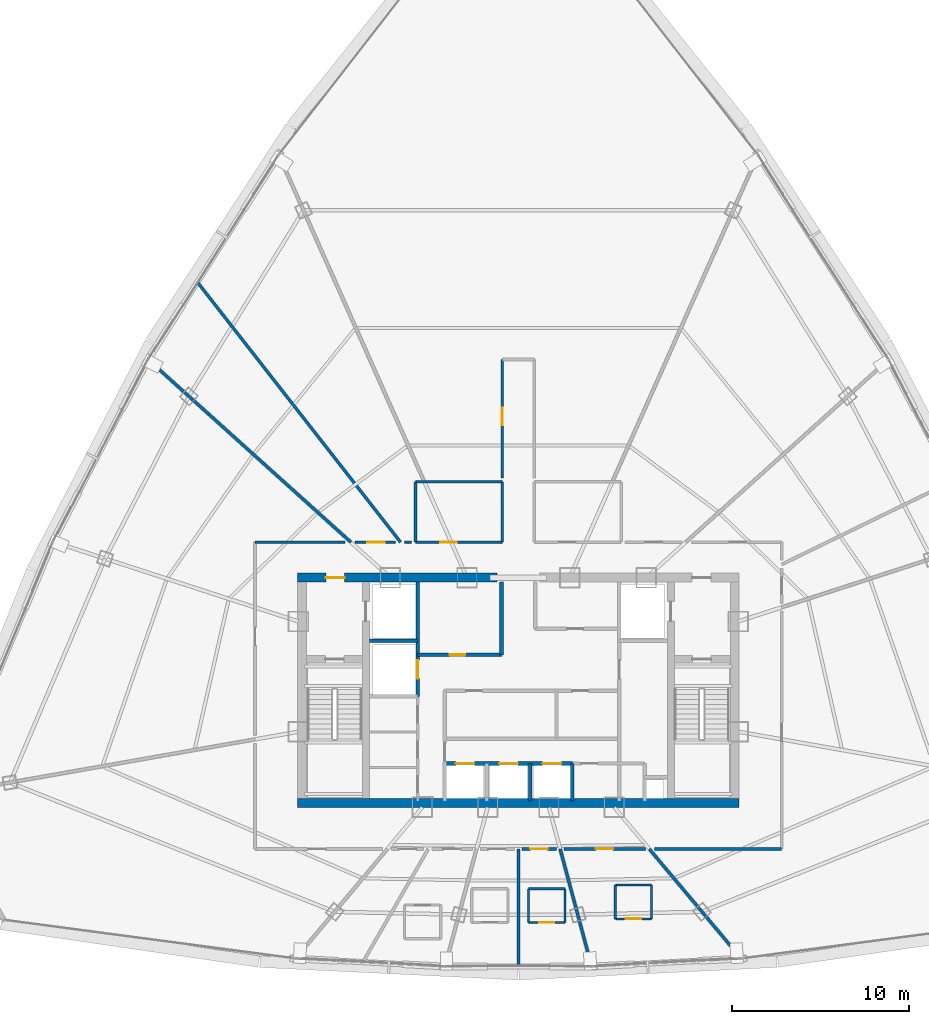
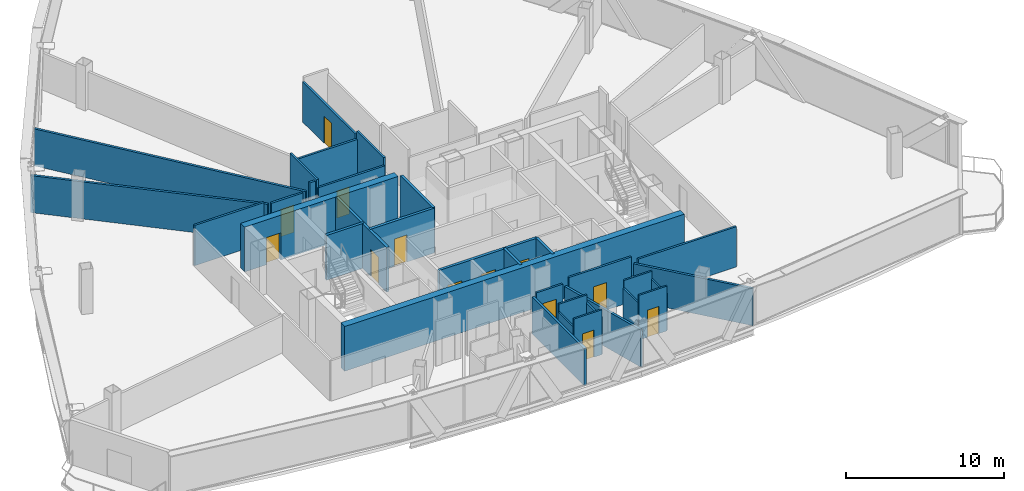
# One storey, part 34 of 39: 33 walls, 13 doors, 13 openings.
"""IFC4 building model written with IfcOpenShell, lengths in metres."""

from ifc_helpers import new_model, si_unit, direction, frame, frame_2d, origin, origin_with_axes, place, context, subcontext, project, spatial, rectangle, extrude, source, transform, mapped, material, layer, layer_set, type_object, element, fill, save


model = new_model("IFC4")

# Units and contexts
model_context = context("Model", 3, precision=1e-05, world=origin(), true_north=direction((0.0, 1.0)))
body_context = subcontext(model_context, "Body", "Model", "MODEL_VIEW")
ifc_project = project(units=[si_unit("LENGTHUNIT", "METRE"), si_unit("AREAUNIT", "SQUARE_METRE"), si_unit("VOLUMEUNIT", "CUBIC_METRE"), si_unit("PLANEANGLEUNIT", "RADIAN"), si_unit("MASSUNIT", "GRAM", prefix="KILO"), si_unit("THERMODYNAMICTEMPERATUREUNIT", "KELVIN"), si_unit("POWERUNIT", "WATT")], contexts=[model_context])

# Site, building, storey
site_placement = place(None, origin())
site = spatial("IfcSite", under=ifc_project, at=site_placement, CompositionType="ELEMENT")
building_placement = place(site_placement, origin())
building = spatial("IfcBuilding", under=site, at=building_placement, Name="Yunzhuo Pagoda Commons", CompositionType="ELEMENT")
storey_placement = place(building_placement, frame((0.0, 0.0, 285.02001953125)))
storey = spatial("IfcBuildingStorey", under=building, at=storey_placement, Name="L71", CompositionType="ELEMENT", Elevation=285.02001953125)

# Wall
ifc_material_1 = material(Name="Concrete C50", Category="concrete")
ifc_layer_1 = layer(ifc_material_1, 0.5)
ifc_layer_set_1 = layer_set([ifc_layer_1], Name="Concrete C50")
wall_type_1 = type_object("IfcWallType", Name="W-C03 Upper Core Shear Wall 500", PredefinedType="SHEAR", material=ifc_layer_set_1)
wall_1_placement = place(storey_placement, frame((35.550048828125, 27.5, 0.0), z_axis=(0.0, 0.0, 1.0), x_axis=(1.0, 0.0, 0.0)))
element("IfcWall", 1, at=wall_1_placement, inside=storey, type_object=wall_type_1, Name="L71 core shear wall S", PredefinedType="SHEAR", context=body_context, shape_type="SweptSolid", body=[
    extrude(rectangle(XDim=24.89990234375, YDim=0.5, at=frame_2d((12.449951171875, 0.0))), origin(), (0.0, 0.0, 1.0), 3.469970703125),
])

# Wall, opening, door
wall_2_placement = place(storey_placement, frame((35.550048828125, 40.199951171875, 0.0), z_axis=(0.0, 0.0, 1.0), x_axis=(1.0, 0.0, 0.0)))
wall_2 = element("IfcWall", 2, at=wall_2_placement, inside=storey, type_object=wall_type_1, Name="L71 core shear wall NW", PredefinedType="SHEAR", context=body_context, shape_type="SweptSolid", body=[
    extrude(rectangle(XDim=11.25, YDim=0.5, at=frame_2d((5.625, 0.0))), origin(), (0.0, 0.0, 1.0), 3.469970703125),
])
opening_1_placement = place(wall_2_placement, frame((1.60009765625, 0.0, 0.0)))
opening_1 = element("IfcOpeningElement", 3, at=opening_1_placement, cuts=wall_2, Name="Opening D-02", PredefinedType="OPENING", context=body_context, shape_type="SweptSolid", body=[
    extrude(rectangle(XDim=1.050048828125, YDim=2.10009765625, at=frame_2d((0.52490234375, 1.050048828125))), frame((0.0, 0.260009765625, 0.0), z_axis=(0.0, -1.0, 0.0), x_axis=(1.0, 0.0, 0.0)), (0.0, 0.0, 1.0), 0.52001953125),
])
ifc_material_2 = material(Name="Galvanized fire-resisting metal leaf")
door_type_1 = type_object("IfcDoorType", Name="D-02 Firefighting Lobby & Refuge Fire Door 1050x2100", OperationType="NOTDEFINED", PredefinedType="DOOR", material=ifc_material_2)
shared_shape_1 = source(origin(), body_context, "Body", "SweptSolid", [
    extrude(rectangle(XDim=1.050048828125, YDim=2.10009765625, at=frame_2d((0.52490234375, 1.050048828125))), frame((0.0, 0.02490234375, 0.0), z_axis=(0.0, -1.0, 0.0), x_axis=(1.0, 0.0, 0.0)), (0.0, 0.0, 1.0), 0.050048828125),
])
door_1_placement = place(opening_1_placement, frame((1.050048828125, 0.0, 0.0), z_axis=(0.0, 0.0, 1.0), x_axis=(-1.0, 0.0, 0.0)))
door_1 = element("IfcDoor", 4, at=door_1_placement, inside=storey, type_object=door_type_1, Name="L71 Firefighting Lobby 1 fire door", OperationType="SINGLE_SWING_LEFT", OverallHeight=2.10009765625, OverallWidth=1.050048828125, PredefinedType="DOOR", context=body_context, shape_type="MappedRepresentation", body=[
    mapped(shared_shape_1, transform((0.0, 0.0, 0.0), scale=1.0)),
])
fill(opening_1, door_1)

ifc_material_3 = material(Name="Gypsum plasterboard on acoustic stud")
ifc_layer_2 = layer(ifc_material_3, 0.14990234375)
ifc_layer_set_2 = layer_set([ifc_layer_2], Name="Gypsum plasterboard on acoustic stud")
wall_type_2 = type_object("IfcWallType", Name="W-COR3 High-Zone Rated Corridor Wall 150", PredefinedType="PARTITIONING", material=ifc_layer_set_2)
wall_3_placement = place(storey_placement, frame((42.199951171875, 42.199951171875, 0.0), z_axis=(0.0, 0.0, 1.0), x_axis=(1.0, 0.0, 0.0)))
wall_3 = element("IfcWall", 5, at=wall_3_placement, inside=storey, type_object=wall_type_2, Name="L71 interior wall IW-L71-TFWS", PredefinedType="PARTITIONING", context=body_context, shape_type="SweptSolid", body=[
    extrude(rectangle(XDim=4.900146484375, YDim=0.14990234375, at=frame_2d((2.4501953125, 0.0))), origin(), (0.0, 0.0, 1.0), 2.869873046875),
])
opening_2_placement = place(wall_3_placement, frame((1.39990234375, 0.0, 0.0)))
opening_2 = element("IfcOpeningElement", 6, at=opening_2_placement, cuts=wall_3, Name="Opening D-04", PredefinedType="OPENING", context=body_context, shape_type="SweptSolid", body=[
    extrude(rectangle(XDim=0.919921875, YDim=2.10009765625, at=frame_2d((0.4599609375, 1.050048828125))), frame((0.0, 0.0849609375, 0.0), z_axis=(0.0, -1.0, 0.0), x_axis=(1.0, 0.0, 0.0)), (0.0, 0.0, 1.0), 0.169921875),
])
ifc_material_4 = material(Name="Powder-coated aluminium and timber acoustic leaf", Category="wood")
door_type_2 = type_object("IfcDoorType", Name="D-04 Bedroom & Study Interior Door 920x2100", OperationType="NOTDEFINED", PredefinedType="DOOR", material=ifc_material_4)
shared_shape_2 = source(origin(), body_context, "Body", "SweptSolid", [
    extrude(rectangle(XDim=0.919921875, YDim=2.10009765625, at=frame_2d((0.4599609375, 1.050048828125))), frame((0.0, 0.02490234375, 0.0), z_axis=(0.0, -1.0, 0.0), x_axis=(1.0, 0.0, 0.0)), (0.0, 0.0, 1.0), 0.050048828125),
])
door_2_placement = place(opening_2_placement, frame((0.919921875, 0.0, 0.0), z_axis=(0.0, 0.0, 1.0), x_axis=(-1.0, 0.0, 0.0)))
door_2 = element("IfcDoor", 7, at=door_2_placement, inside=storey, type_object=door_type_2, Name="L71 laundry door", OperationType="SINGLE_SWING_LEFT", OverallHeight=2.10009765625, OverallWidth=0.919921875, PredefinedType="DOOR", context=body_context, shape_type="MappedRepresentation", body=[
    mapped(shared_shape_2, transform((0.0, 0.0, 0.0), scale=1.0)),
])
fill(opening_2, door_2)

# Walls
wall_4_placement = place(storey_placement, frame((42.199951171875, 45.60009765625, 0.0), z_axis=(0.0, 0.0, 1.0), x_axis=(1.0, 0.0, 0.0)))
element("IfcWall", 8, at=wall_4_placement, inside=storey, type_object=wall_type_2, Name="L71 interior wall IW-L71-TFWN", PredefinedType="PARTITIONING", context=body_context, shape_type="SweptSolid", body=[
    extrude(rectangle(XDim=4.900146484375, YDim=0.14990234375, at=frame_2d((2.4501953125, 0.0))), origin(), (0.0, 0.0, 1.0), 2.869873046875),
])
for number, where, z_axis, x_axis, name in (
    (9, (42.199951171875, 42.199951171875, 0.0), (0.0, 0.0, 1.0), (0.0, 1.0, 0.0), "L71 interior wall IW-L71-TFWW"),
    (10, (47.10009765625, 42.199951171875, 0.0), (0.0, 0.0, 1.0), (0.0, 1.0, 0.0), "L71 interior wall IW-L71-TFWE"),
):
    element("IfcWall", number, at=place(storey_placement, frame(where, z_axis=z_axis, x_axis=x_axis)), inside=storey, type_object=wall_type_2, Name=name, PredefinedType="PARTITIONING", context=body_context, shape_type="SweptSolid", body=[
        extrude(rectangle(XDim=3.400146484375, YDim=0.14990234375, at=frame_2d((1.7001953125, 0.0))), origin(), (0.0, 0.0, 1.0), 3.469970703125),
    ])
wall_5_placement = place(storey_placement, frame((33.14990234375, 42.199951171875, 0.0), z_axis=(0.0, 0.0, 1.0), x_axis=(1.0, 0.0, 0.0)))
element("IfcWall", 11, at=wall_5_placement, inside=storey, type_object=wall_type_2, Name="L71 interior wall IW-L71-CWL03", PredefinedType="PARTITIONING", context=body_context, shape_type="SweptSolid", body=[
    extrude(rectangle(XDim=5.0810546875, YDim=0.14990234375, at=frame_2d((2.54052734375, 0.0))), origin(), (0.0, 0.0, 1.0), 3.119873046875),
])

# Wall, opening, door
wall_6_placement = place(storey_placement, frame((38.779541015625, 42.199951171875, 0.0), z_axis=(0.0, 0.0, 1.0), x_axis=(1.0, 0.0, 0.0)))
wall_6 = element("IfcWall", 12, at=wall_6_placement, inside=storey, type_object=wall_type_2, Name="L71 interior wall IW-L71-CWL04", PredefinedType="PARTITIONING", context=body_context, shape_type="SweptSolid", body=[
    extrude(rectangle(XDim=2.30029296875, YDim=0.14990234375, at=frame_2d((1.150146484375, 0.0))), origin(), (0.0, 0.0, 1.0), 2.869873046875),
])
opening_3_placement = place(wall_6_placement, frame((0.705078125, 0.0, 0.0)))
opening_3 = element("IfcOpeningElement", 13, at=opening_3_placement, cuts=wall_6, Name="Opening D-08", PredefinedType="OPENING", context=body_context, shape_type="SweptSolid", body=[
    extrude(rectangle(XDim=0.97998046875, YDim=2.1201171875, at=frame_2d((0.489990234375, 1.06005859375))), frame((0.0, 0.0849609375, 0.0), z_axis=(0.0, -1.0, 0.0), x_axis=(1.0, 0.0, 0.0)), (0.0, 0.0, 1.0), 0.169921875),
])
door_type_3 = type_object("IfcDoorType", Name="D-08 High-Zone Suite Entrance Fire Door 980x2120", OperationType="NOTDEFINED", PredefinedType="DOOR", material=ifc_material_2)
shared_shape_3 = source(origin(), body_context, "Body", "SweptSolid", [
    extrude(rectangle(XDim=0.97998046875, YDim=2.1201171875, at=frame_2d((0.489990234375, 1.06005859375))), frame((0.0, 0.02490234375, 0.0), z_axis=(0.0, -1.0, 0.0), x_axis=(1.0, 0.0, 0.0)), (0.0, 0.0, 1.0), 0.050048828125),
])
door_3_placement = place(opening_3_placement, origin_with_axes())
door_3 = element("IfcDoor", 14, at=door_3_placement, inside=storey, type_object=door_type_3, Name="L71 unit 06 entrance door", OperationType="SINGLE_SWING_RIGHT", OverallHeight=2.1201171875, OverallWidth=0.97998046875, PredefinedType="DOOR", context=body_context, shape_type="MappedRepresentation", body=[
    mapped(shared_shape_3, transform((0.0, 0.0, 0.0), scale=1.0)),
])
fill(opening_3, door_3)

# Wall
wall_7_placement = place(storey_placement, frame((41.578857421875, 42.199951171875, 0.0), z_axis=(0.0, 0.0, 1.0), x_axis=(1.0, 0.0, 0.0)))
element("IfcWall", 15, at=wall_7_placement, inside=storey, type_object=wall_type_2, Name="L71 interior wall IW-L71-CWL05", PredefinedType="PARTITIONING", context=body_context, shape_type="SweptSolid", body=[
    extrude(rectangle(XDim=0.401123046875, YDim=0.14990234375, at=frame_2d((0.20068359375, 0.0))), origin(), (0.0, 0.0, 1.0), 3.469970703125),
])

# Wall, opening, door
wall_8_placement = place(storey_placement, frame((47.10009765625, 45.820068359375, 0.0), z_axis=(0.0, 0.0, 1.0), x_axis=(0.0, 1.0, 0.0)))
wall_8 = element("IfcWall", 16, at=wall_8_placement, inside=storey, type_object=wall_type_2, Name="L71 interior wall IW-L71-CWL06", PredefinedType="PARTITIONING", context=body_context, shape_type="SweptSolid", body=[
    extrude(rectangle(XDim=6.679931640625, YDim=0.14990234375, at=frame_2d((3.33984375, 0.0))), origin(), (0.0, 0.0, 1.0), 3.119873046875),
])
opening_4_placement = place(wall_8_placement, frame((2.985107421875, 0.0, 0.0)))
opening_4 = element("IfcOpeningElement", 17, at=opening_4_placement, cuts=wall_8, Name="Opening D-08", PredefinedType="OPENING", context=body_context, shape_type="SweptSolid", body=[
    extrude(rectangle(XDim=0.97998046875, YDim=2.1201171875, at=frame_2d((0.489990234375, 1.06005859375))), frame((0.0, 0.0849609375, 0.0), z_axis=(0.0, -1.0, 0.0), x_axis=(1.0, 0.0, 0.0)), (0.0, 0.0, 1.0), 0.169921875),
])
door_4_placement = place(opening_4_placement, origin_with_axes())
door_4 = element("IfcDoor", 18, at=door_4_placement, inside=storey, type_object=door_type_3, Name="L71 unit 04 entrance door", OperationType="SINGLE_SWING_RIGHT", OverallHeight=2.1201171875, OverallWidth=0.97998046875, PredefinedType="DOOR", context=body_context, shape_type="MappedRepresentation", body=[
    mapped(shared_shape_3, transform((0.0, 0.0, 0.0), scale=1.0)),
])
fill(opening_4, door_4)

# Wall
wall_9_placement = place(storey_placement, frame((62.85009765625, 24.89990234375, 0.0), z_axis=(0.0, 0.0, 1.0), x_axis=(-1.0, 0.0, 0.0)))
element("IfcWall", 19, at=wall_9_placement, inside=storey, type_object=wall_type_2, Name="L71 interior wall IW-L71-CWL14", PredefinedType="PARTITIONING", context=body_context, shape_type="SweptSolid", body=[
    extrude(rectangle(XDim=7.1787109375, YDim=0.14990234375, at=frame_2d((3.58935546875, 0.0))), origin(), (0.0, 0.0, 1.0), 3.119873046875),
])

# Wall, opening, door
wall_10_placement = place(storey_placement, frame((55.164306640625, 24.89990234375, 0.0), z_axis=(0.0, 0.0, 1.0), x_axis=(-1.0, 0.0, 0.0)))
wall_10 = element("IfcWall", 20, at=wall_10_placement, inside=storey, type_object=wall_type_2, Name="L71 interior wall IW-L71-CWL15", PredefinedType="PARTITIONING", context=body_context, shape_type="SweptSolid", body=[
    extrude(rectangle(XDim=4.57861328125, YDim=0.14990234375, at=frame_2d((2.289306640625, 0.0))), origin(), (0.0, 0.0, 1.0), 3.469970703125),
])
opening_5_placement = place(wall_10_placement, frame((1.818115234375, 0.0, 0.0)))
opening_5 = element("IfcOpeningElement", 21, at=opening_5_placement, cuts=wall_10, Name="Opening D-08", PredefinedType="OPENING", context=body_context, shape_type="SweptSolid", body=[
    extrude(rectangle(XDim=0.97998046875, YDim=2.1201171875, at=frame_2d((0.489990234375, 1.06005859375))), frame((0.0, 0.0849609375, 0.0), z_axis=(0.0, -1.0, 0.0), x_axis=(1.0, 0.0, 0.0)), (0.0, 0.0, 1.0), 0.169921875),
])
door_5_placement = place(opening_5_placement, origin_with_axes())
door_5 = element("IfcDoor", 22, at=door_5_placement, inside=storey, type_object=door_type_3, Name="L71 unit 13 entrance door", OperationType="SINGLE_SWING_LEFT", OverallHeight=2.1201171875, OverallWidth=0.97998046875, PredefinedType="DOOR", context=body_context, shape_type="MappedRepresentation", body=[
    mapped(shared_shape_3, transform((0.0, 0.0, 0.0), scale=1.0)),
])
fill(opening_5, door_5)

wall_11_placement = place(storey_placement, frame((50.13818359375, 24.89990234375, 0.0), z_axis=(0.0, 0.0, 1.0), x_axis=(-1.0, 0.0, 0.0)))
wall_11 = element("IfcWall", 23, at=wall_11_placement, inside=storey, type_object=wall_type_2, Name="L71 interior wall IW-L71-CWL16", PredefinedType="PARTITIONING", context=body_context, shape_type="SweptSolid", body=[
    extrude(rectangle(XDim=1.918212890625, YDim=0.14990234375, at=frame_2d((0.958984375, 0.0))), origin(), (0.0, 0.0, 1.0), 3.119873046875),
])
opening_6_placement = place(wall_11_placement, frame((0.484130859375, 0.0, 0.0)))
opening_6 = element("IfcOpeningElement", 24, at=opening_6_placement, cuts=wall_11, Name="Opening D-08", PredefinedType="OPENING", context=body_context, shape_type="SweptSolid", body=[
    extrude(rectangle(XDim=0.97998046875, YDim=2.1201171875, at=frame_2d((0.489990234375, 1.06005859375))), frame((0.0, 0.0849609375, 0.0), z_axis=(0.0, -1.0, 0.0), x_axis=(1.0, 0.0, 0.0)), (0.0, 0.0, 1.0), 0.169921875),
])
door_6_placement = place(opening_6_placement, origin_with_axes())
door_6 = element("IfcDoor", 25, at=door_6_placement, inside=storey, type_object=door_type_3, Name="L71 unit 12 entrance door", OperationType="SINGLE_SWING_RIGHT", OverallHeight=2.1201171875, OverallWidth=0.97998046875, PredefinedType="DOOR", context=body_context, shape_type="MappedRepresentation", body=[
    mapped(shared_shape_3, transform((0.0, 0.0, 0.0), scale=1.0)),
])
fill(opening_6, door_6)

ifc_layer_3 = layer(ifc_material_3, 0.1201171875)
ifc_layer_set_3 = layer_set([ifc_layer_3], Name="Gypsum plasterboard on acoustic stud")
wall_type_3 = type_object("IfcWallType", Name="W-PRT1 Suite & Bathroom Partition 120", PredefinedType="PARTITIONING", material=ifc_layer_set_3)
wall_12_placement = place(storey_placement, frame((48.576904296875, 20.758056640625, 0.0), z_axis=(0.0, 0.0, 1.0), x_axis=(1.0, 0.0, 0.0)))
wall_12 = element("IfcWall", 26, at=wall_12_placement, inside=storey, type_object=wall_type_3, Name="L71 interior wall IW-L71-B12S", PredefinedType="PARTITIONING", context=body_context, shape_type="SweptSolid", body=[
    extrude(rectangle(XDim=2.050048828125, YDim=0.1201171875, at=frame_2d((1.02490234375, 0.0))), origin(), (0.0, 0.0, 1.0), 3.469970703125),
])
opening_7_placement = place(wall_12_placement, frame((0.60009765625, 0.0, 0.0)))
opening_7 = element("IfcOpeningElement", 27, at=opening_7_placement, cuts=wall_12, Name="Opening D-05", PredefinedType="OPENING", context=body_context, shape_type="SweptSolid", body=[
    extrude(rectangle(XDim=0.85009765625, YDim=2.10009765625, at=frame_2d((0.425048828125, 1.050048828125))), frame((0.0, 0.070068359375, 0.0), z_axis=(0.0, -1.0, 0.0), x_axis=(1.0, 0.0, 0.0)), (0.0, 0.0, 1.0), 0.14013671875),
])
door_type_4 = type_object("IfcDoorType", Name="D-05 En-Suite Bathroom Door 850x2100", OperationType="NOTDEFINED", PredefinedType="DOOR", material=ifc_material_4)
shared_shape_4 = source(origin(), body_context, "Body", "SweptSolid", [
    extrude(rectangle(XDim=0.85009765625, YDim=2.10009765625, at=frame_2d((0.425048828125, 1.050048828125))), frame((0.0, 0.02490234375, 0.0), z_axis=(0.0, -1.0, 0.0), x_axis=(1.0, 0.0, 0.0)), (0.0, 0.0, 1.0), 0.050048828125),
])
door_7_placement = place(opening_7_placement, frame((0.85009765625, 0.0, 0.0), z_axis=(0.0, 0.0, 1.0), x_axis=(-1.0, 0.0, 0.0)))
door_7 = element("IfcDoor", 28, at=door_7_placement, inside=storey, type_object=door_type_4, Name="L71 unit 12 bathroom door", OperationType="SINGLE_SWING_RIGHT", OverallHeight=2.10009765625, OverallWidth=0.85009765625, PredefinedType="DOOR", context=body_context, shape_type="MappedRepresentation", body=[
    mapped(shared_shape_4, transform((0.0, 0.0, 0.0), scale=1.0)),
])
fill(opening_7, door_7)

# Walls
wall_13_placement = place(storey_placement, frame((50.626953125, 20.758056640625, 0.0), z_axis=(0.0, 0.0, 1.0), x_axis=(0.0, 1.0, 0.0)))
element("IfcWall", 29, at=wall_13_placement, inside=storey, type_object=wall_type_3, Name="L71 interior wall IW-L71-B12E", PredefinedType="PARTITIONING", context=body_context, shape_type="SweptSolid", body=[
    extrude(rectangle(XDim=1.89990234375, YDim=0.1201171875, at=frame_2d((0.949951171875, 0.0))), origin(), (0.0, 0.0, 1.0), 2.869873046875),
])
wall_14_placement = place(storey_placement, frame((50.626953125, 22.657958984375, 0.0), z_axis=(0.0, 0.0, 1.0), x_axis=(-1.0, 0.0, 0.0)))
element("IfcWall", 30, at=wall_14_placement, inside=storey, type_object=wall_type_3, Name="L71 interior wall IW-L71-B12N", PredefinedType="PARTITIONING", context=body_context, shape_type="SweptSolid", body=[
    extrude(rectangle(XDim=2.050048828125, YDim=0.1201171875, at=frame_2d((1.02490234375, 0.0))), origin(), (0.0, 0.0, 1.0), 3.469970703125),
])
wall_15_placement = place(storey_placement, frame((48.576904296875, 22.657958984375, 0.0), z_axis=(0.0, 0.0, 1.0), x_axis=(0.0, -1.0, 0.0)))
element("IfcWall", 31, at=wall_15_placement, inside=storey, type_object=wall_type_3, Name="L71 interior wall IW-L71-B12W", PredefinedType="PARTITIONING", context=body_context, shape_type="SweptSolid", body=[
    extrude(rectangle(XDim=1.89990234375, YDim=0.1201171875, at=frame_2d((0.949951171875, 0.0))), origin(), (0.0, 0.0, 1.0), 2.869873046875),
])

# Wall, opening, door
wall_16_placement = place(storey_placement, frame((53.467041015625, 20.962890625, 0.0), z_axis=(0.0, 0.0, 1.0), x_axis=(1.0, 0.0, 0.0)))
wall_16 = element("IfcWall", 32, at=wall_16_placement, inside=storey, type_object=wall_type_3, Name="L71 interior wall IW-L71-B13S", PredefinedType="PARTITIONING", context=body_context, shape_type="SweptSolid", body=[
    extrude(rectangle(XDim=2.050048828125, YDim=0.1201171875, at=frame_2d((1.02490234375, 0.0))), origin(), (0.0, 0.0, 1.0), 3.469970703125),
])
opening_8_placement = place(wall_16_placement, frame((0.60009765625, 0.0, 0.0)))
opening_8 = element("IfcOpeningElement", 33, at=opening_8_placement, cuts=wall_16, Name="Opening D-05", PredefinedType="OPENING", context=body_context, shape_type="SweptSolid", body=[
    extrude(rectangle(XDim=0.85009765625, YDim=2.10009765625, at=frame_2d((0.425048828125, 1.050048828125))), frame((0.0, 0.070068359375, 0.0), z_axis=(0.0, -1.0, 0.0), x_axis=(1.0, 0.0, 0.0)), (0.0, 0.0, 1.0), 0.14013671875),
])
door_8_placement = place(opening_8_placement, frame((0.85009765625, 0.0, 0.0), z_axis=(0.0, 0.0, 1.0), x_axis=(-1.0, 0.0, 0.0)))
door_8 = element("IfcDoor", 34, at=door_8_placement, inside=storey, type_object=door_type_4, Name="L71 unit 13 bathroom door", OperationType="SINGLE_SWING_LEFT", OverallHeight=2.10009765625, OverallWidth=0.85009765625, PredefinedType="DOOR", context=body_context, shape_type="MappedRepresentation", body=[
    mapped(shared_shape_4, transform((0.0, 0.0, 0.0), scale=1.0)),
])
fill(opening_8, door_8)

# Walls
wall_17_placement = place(storey_placement, frame((55.51708984375, 20.962890625, 0.0), z_axis=(0.0, 0.0, 1.0), x_axis=(0.0, 1.0, 0.0)))
element("IfcWall", 35, at=wall_17_placement, inside=storey, type_object=wall_type_3, Name="L71 interior wall IW-L71-B13E", PredefinedType="PARTITIONING", context=body_context, shape_type="SweptSolid", body=[
    extrude(rectangle(XDim=1.900146484375, YDim=0.1201171875, at=frame_2d((0.9501953125, 0.0))), origin(), (0.0, 0.0, 1.0), 2.869873046875),
])
wall_18_placement = place(storey_placement, frame((55.51708984375, 22.863037109375, 0.0), z_axis=(0.0, 0.0, 1.0), x_axis=(-1.0, 0.0, 0.0)))
element("IfcWall", 36, at=wall_18_placement, inside=storey, type_object=wall_type_3, Name="L71 interior wall IW-L71-B13N", PredefinedType="PARTITIONING", context=body_context, shape_type="SweptSolid", body=[
    extrude(rectangle(XDim=2.050048828125, YDim=0.1201171875, at=frame_2d((1.02490234375, 0.0))), origin(), (0.0, 0.0, 1.0), 3.469970703125),
])
wall_19_placement = place(storey_placement, frame((53.467041015625, 22.863037109375, 0.0), z_axis=(0.0, 0.0, 1.0), x_axis=(0.0, -1.0, 0.0)))
element("IfcWall", 37, at=wall_19_placement, inside=storey, type_object=wall_type_3, Name="L71 interior wall IW-L71-B13W", PredefinedType="PARTITIONING", context=body_context, shape_type="SweptSolid", body=[
    extrude(rectangle(XDim=1.900146484375, YDim=0.1201171875, at=frame_2d((0.9501953125, 0.0))), origin(), (0.0, 0.0, 1.0), 2.869873046875),
])
ifc_layer_4 = layer(ifc_material_3, 0.169921875)
ifc_layer_set_4 = layer_set([ifc_layer_4], Name="Gypsum plasterboard on acoustic stud")
wall_type_4 = type_object("IfcWallType", Name="W-PRT4 High-Zone Demising Wall 170", PredefinedType="PARTITIONING", material=ifc_layer_set_4)
wall_20_placement = place(storey_placement, frame((41.359130859375, 42.199951171875, 0.0), z_axis=(0.0, 0.0, 1.0), x_axis=(-0.615658553978, 0.788013036005, 0.0)))
element("IfcWall", 38, at=wall_20_placement, inside=storey, type_object=wall_type_4, Name="L71 interior wall IW-L71-RAD06", PredefinedType="PARTITIONING", context=body_context, shape_type="SweptSolid", body=[
    extrude(rectangle(XDim=18.608642578125, YDim=0.169921875, at=frame_2d((9.30419921875, 0.0))), origin(), (0.0, 0.0, 1.0), 2.869873046875),
])
wall_21_placement = place(storey_placement, frame((38.559814453125, 42.199951171875, 0.0), z_axis=(0.0, 0.0, 1.0), x_axis=(-0.743145118403, 0.669130281032, 0.0)))
element("IfcWall", 39, at=wall_21_placement, inside=storey, type_object=wall_type_4, Name="L71 interior wall IW-L71-RAD07", PredefinedType="PARTITIONING", context=body_context, shape_type="SweptSolid", body=[
    extrude(rectangle(XDim=15.3974609375, YDim=0.169921875, at=frame_2d((7.69873046875, 0.0))), origin(), (0.0, 0.0, 1.0), 2.869873046875),
])
wall_22_placement = place(storey_placement, frame((48.0, 24.89990234375, 0.0), z_axis=(0.0, 0.0, 1.0), x_axis=(0.0, -1.0, 0.0)))
element("IfcWall", 40, at=wall_22_placement, inside=storey, type_object=wall_type_4, Name="L71 interior wall IW-L71-RAD12", PredefinedType="PARTITIONING", context=body_context, shape_type="SweptSolid", body=[
    extrude(rectangle(XDim=6.624755859375, YDim=0.169921875, at=frame_2d((3.3125, 0.0))), origin(), (0.0, 0.0, 1.0), 2.869873046875),
])
wall_23_placement = place(storey_placement, frame((50.35791015625, 24.89990234375, 0.0), z_axis=(0.0, 0.0, 1.0), x_axis=(0.258825643191, -0.965924058312, 0.0)))
element("IfcWall", 41, at=wall_23_placement, inside=storey, type_object=wall_type_4, Name="L71 interior wall IW-L71-RAD13", PredefinedType="PARTITIONING", context=body_context, shape_type="SweptSolid", body=[
    extrude(rectangle(XDim=6.8583984375, YDim=0.169921875, at=frame_2d((3.42919921875, 0.0))), origin(), (0.0, 0.0, 1.0), 2.869873046875),
])
wall_24_placement = place(storey_placement, frame((55.384033203125, 24.89990234375, 0.0), z_axis=(0.0, 0.0, 1.0), x_axis=(0.642788791497, -0.76604345146, 0.0)))
element("IfcWall", 42, at=wall_24_placement, inside=storey, type_object=wall_type_4, Name="L71 interior wall IW-L71-RAD14", PredefinedType="PARTITIONING", context=body_context, shape_type="SweptSolid", body=[
    extrude(rectangle(XDim=8.065673828125, YDim=0.169921875, at=frame_2d((4.03271484375, 0.0))), origin(), (0.0, 0.0, 1.0), 2.869873046875),
])

# Wall, opening, door
ifc_material_5 = material(Name="Concrete C40", Category="concrete")
ifc_layer_5 = layer(ifc_material_5, 0.199951171875)
ifc_layer_set_5 = layer_set([ifc_layer_5], Name="Concrete C40")
wall_type_5 = type_object("IfcWallType", Name="W-SHF Shaft & Stair Enclosure Wall 200", PredefinedType="SOLIDWALL", material=ifc_layer_set_5)
wall_25_placement = place(storey_placement, frame((42.320068359375, 33.5, 0.0), z_axis=(0.0, 0.0, 1.0), x_axis=(0.0, 1.0, 0.0)))
wall_25 = element("IfcWall", 43, at=wall_25_placement, inside=storey, type_object=wall_type_5, Name="L71 interior wall IW-L71-FL1E", PredefinedType="SOLIDWALL", context=body_context, shape_type="SweptSolid", body=[
    extrude(rectangle(XDim=6.449951171875, YDim=0.199951171875, at=frame_2d((3.22509765625, 0.0))), origin(), (0.0, 0.0, 1.0), 3.469970703125),
])
opening_9_placement = place(wall_25_placement, frame((1.0, 0.0, 0.0)))
opening_9 = element("IfcOpeningElement", 44, at=opening_9_placement, cuts=wall_25, Name="Opening LD-02", PredefinedType="OPENING", context=body_context, shape_type="SweptSolid", body=[
    extrude(rectangle(XDim=1.050048828125, YDim=2.10009765625, at=frame_2d((0.52490234375, 1.050048828125))), frame((0.0, 0.10986328125, 0.0), z_axis=(0.0, -1.0, 0.0), x_axis=(1.0, 0.0, 0.0)), (0.0, 0.0, 1.0), 0.219970703125),
])
door_type_5 = type_object("IfcDoorType", Name="LD-02 Passenger Lift Landing Door 1050x2100", OperationType="DOUBLE_DOOR_SLIDING", PredefinedType="DOOR", material=ifc_material_2)
door_9_placement = place(opening_9_placement, origin_with_axes())
door_9 = element("IfcDoor", 45, at=door_9_placement, inside=storey, type_object=door_type_5, Name="L71 Service lift SL-1 landing door", OperationType="DOUBLE_DOOR_SLIDING", OverallHeight=2.10009765625, OverallWidth=1.050048828125, PredefinedType="DOOR", context=body_context, shape_type="MappedRepresentation", body=[
    mapped(shared_shape_1, transform((0.0, 0.0, 0.0), scale=1.0)),
])
fill(opening_9, door_9)

# Wall
wall_26_placement = place(storey_placement, frame((39.60009765625, 36.64990234375, 0.0), z_axis=(0.0, 0.0, 1.0), x_axis=(1.0, 0.0, 0.0)))
element("IfcWall", 46, at=wall_26_placement, inside=storey, type_object=wall_type_5, Name="L71 interior wall IW-L71-FL1S", PredefinedType="SOLIDWALL", context=body_context, shape_type="SweptSolid", body=[
    extrude(rectangle(XDim=2.719970703125, YDim=0.199951171875, at=frame_2d((1.35986328125, 0.0))), origin(), (0.0, 0.0, 1.0), 3.469970703125),
])

# Wall, opening, door
wall_27_placement = place(storey_placement, frame((42.320068359375, 35.85009765625, 0.0), z_axis=(0.0, 0.0, 1.0), x_axis=(1.0, 0.0, 0.0)))
wall_27 = element("IfcWall", 47, at=wall_27_placement, inside=storey, type_object=wall_type_5, Name="L71 interior wall IW-L71-LBNW", PredefinedType="SOLIDWALL", context=body_context, shape_type="SweptSolid", body=[
    extrude(rectangle(XDim=4.72998046875, YDim=0.199951171875, at=frame_2d((2.364990234375, 0.0))), origin(), (0.0, 0.0, 1.0), 3.469970703125),
])
opening_10_placement = place(wall_27_placement, frame((1.800048828125, 0.0, 0.0)))
opening_10 = element("IfcOpeningElement", 48, at=opening_10_placement, cuts=wall_27, Name="Opening D-03", PredefinedType="OPENING", context=body_context, shape_type="SweptSolid", body=[
    extrude(rectangle(XDim=0.89990234375, YDim=2.10009765625, at=frame_2d((0.449951171875, 1.050048828125))), frame((0.0, 0.10986328125, 0.0), z_axis=(0.0, -1.0, 0.0), x_axis=(1.0, 0.0, 0.0)), (0.0, 0.0, 1.0), 0.219970703125),
])
door_type_6 = type_object("IfcDoorType", Name="D-03 Core Service Fire Door 900x2100", OperationType="NOTDEFINED", PredefinedType="DOOR", material=ifc_material_2)
shared_shape_5 = source(origin(), body_context, "Body", "SweptSolid", [
    extrude(rectangle(XDim=0.89990234375, YDim=2.10009765625, at=frame_2d((0.449951171875, 1.050048828125))), frame((0.0, 0.02490234375, 0.0), z_axis=(0.0, -1.0, 0.0), x_axis=(1.0, 0.0, 0.0)), (0.0, 0.0, 1.0), 0.050048828125),
])
door_10_placement = place(opening_10_placement, frame((0.89990234375, 0.0, 0.0), z_axis=(0.0, 0.0, 1.0), x_axis=(-1.0, 0.0, 0.0)))
door_10 = element("IfcDoor", 49, at=door_10_placement, inside=storey, type_object=door_type_6, Name="L71 core west store door", OperationType="SINGLE_SWING_LEFT", OverallHeight=2.10009765625, OverallWidth=0.89990234375, PredefinedType="DOOR", context=body_context, shape_type="MappedRepresentation", body=[
    mapped(shared_shape_5, transform((0.0, 0.0, 0.0), scale=1.0)),
])
fill(opening_10, door_10)

# Wall
wall_28_placement = place(storey_placement, frame((47.050048828125, 35.85009765625, 0.0), z_axis=(0.0, 0.0, 1.0), x_axis=(0.0, 1.0, 0.0)))
element("IfcWall", 50, at=wall_28_placement, inside=storey, type_object=wall_type_5, Name="L71 interior wall IW-L71-THRW", PredefinedType="SOLIDWALL", context=body_context, shape_type="SweptSolid", body=[
    extrude(rectangle(XDim=4.099853515625, YDim=0.199951171875, at=frame_2d((2.0498046875, 0.0))), origin(), (0.0, 0.0, 1.0), 3.469970703125),
])

# Wall, openings, doors
wall_29_placement = place(storey_placement, frame((43.85009765625, 29.719970703125, 0.0), z_axis=(0.0, 0.0, 1.0), x_axis=(1.0, 0.0, 0.0)))
wall_29 = element("IfcWall", 51, at=wall_29_placement, inside=storey, type_object=wall_type_5, Name="L71 interior wall IW-L71-PLHN", PredefinedType="SOLIDWALL", context=body_context, shape_type="SweptSolid", body=[
    extrude(rectangle(XDim=7.199951171875, YDim=0.199951171875, at=frame_2d((3.60009765625, 0.0))), origin(), (0.0, 0.0, 1.0), 3.469970703125),
])
opening_11_placement = place(wall_29_placement, frame((0.625, 0.0, 0.0)))
opening_11 = element("IfcOpeningElement", 52, at=opening_11_placement, cuts=wall_29, Name="Opening LD-02", PredefinedType="OPENING", context=body_context, shape_type="SweptSolid", body=[
    extrude(rectangle(XDim=1.050048828125, YDim=2.10009765625, at=frame_2d((0.52490234375, 1.050048828125))), frame((0.0, 0.10986328125, 0.0), z_axis=(0.0, -1.0, 0.0), x_axis=(1.0, 0.0, 0.0)), (0.0, 0.0, 1.0), 0.219970703125),
])
opening_12_placement = place(wall_29_placement, frame((3.074951171875, 0.0, 0.0)))
opening_12 = element("IfcOpeningElement", 53, at=opening_12_placement, cuts=wall_29, Name="Opening LD-02", PredefinedType="OPENING", context=body_context, shape_type="SweptSolid", body=[
    extrude(rectangle(XDim=1.050048828125, YDim=2.10009765625, at=frame_2d((0.52490234375, 1.050048828125))), frame((0.0, 0.10986328125, 0.0), z_axis=(0.0, -1.0, 0.0), x_axis=(1.0, 0.0, 0.0)), (0.0, 0.0, 1.0), 0.219970703125),
])
opening_13_placement = place(wall_29_placement, frame((5.52490234375, 0.0, 0.0)))
opening_13 = element("IfcOpeningElement", 54, at=opening_13_placement, cuts=wall_29, Name="Opening LD-02", PredefinedType="OPENING", context=body_context, shape_type="SweptSolid", body=[
    extrude(rectangle(XDim=1.050048828125, YDim=2.10009765625, at=frame_2d((0.52490234375, 1.050048828125))), frame((0.0, 0.10986328125, 0.0), z_axis=(0.0, -1.0, 0.0), x_axis=(1.0, 0.0, 0.0)), (0.0, 0.0, 1.0), 0.219970703125),
])
door_11_placement = place(opening_11_placement, origin_with_axes())
door_11 = element("IfcDoor", 55, at=door_11_placement, inside=storey, type_object=door_type_5, Name="L71 Passenger lift PL-H1 landing door", OperationType="DOUBLE_DOOR_SLIDING", OverallHeight=2.10009765625, OverallWidth=1.050048828125, PredefinedType="DOOR", context=body_context, shape_type="MappedRepresentation", body=[
    mapped(shared_shape_1, transform((0.0, 0.0, 0.0), scale=1.0)),
])
fill(opening_11, door_11)
door_12_placement = place(opening_12_placement, origin_with_axes())
door_12 = element("IfcDoor", 56, at=door_12_placement, inside=storey, type_object=door_type_5, Name="L71 Passenger lift PL-H2 landing door", OperationType="DOUBLE_DOOR_SLIDING", OverallHeight=2.10009765625, OverallWidth=1.050048828125, PredefinedType="DOOR", context=body_context, shape_type="MappedRepresentation", body=[
    mapped(shared_shape_1, transform((0.0, 0.0, 0.0), scale=1.0)),
])
fill(opening_12, door_12)
door_13_placement = place(opening_13_placement, origin_with_axes())
door_13 = element("IfcDoor", 57, at=door_13_placement, inside=storey, type_object=door_type_5, Name="L71 Passenger lift PL-H3 landing door", OperationType="DOUBLE_DOOR_SLIDING", OverallHeight=2.10009765625, OverallWidth=1.050048828125, PredefinedType="DOOR", context=body_context, shape_type="MappedRepresentation", body=[
    mapped(shared_shape_1, transform((0.0, 0.0, 0.0), scale=1.0)),
])
fill(opening_13, door_13)

# Walls
for number, where, z_axis, x_axis, name in (
    (58, (51.050048828125, 27.60009765625, 0.0), (0.0, 0.0, 1.0), (0.0, 1.0, 0.0), "L71 interior wall IW-L71-PLHE"),
    (59, (48.675048828125, 27.60009765625, 0.0), (0.0, 0.0, 1.0), (0.0, 1.0, 0.0), "L71 interior wall IW-L71-PLHD2"),
):
    element("IfcWall", number, at=place(storey_placement, frame(where, z_axis=z_axis, x_axis=x_axis)), inside=storey, type_object=wall_type_5, Name=name, PredefinedType="SOLIDWALL", context=body_context, shape_type="SweptSolid", body=[
        extrude(rectangle(XDim=2.119873046875, YDim=0.199951171875, at=frame_2d((1.06005859375, 0.0))), origin(), (0.0, 0.0, 1.0), 3.469970703125),
    ])

save(model, "model.ifc")
